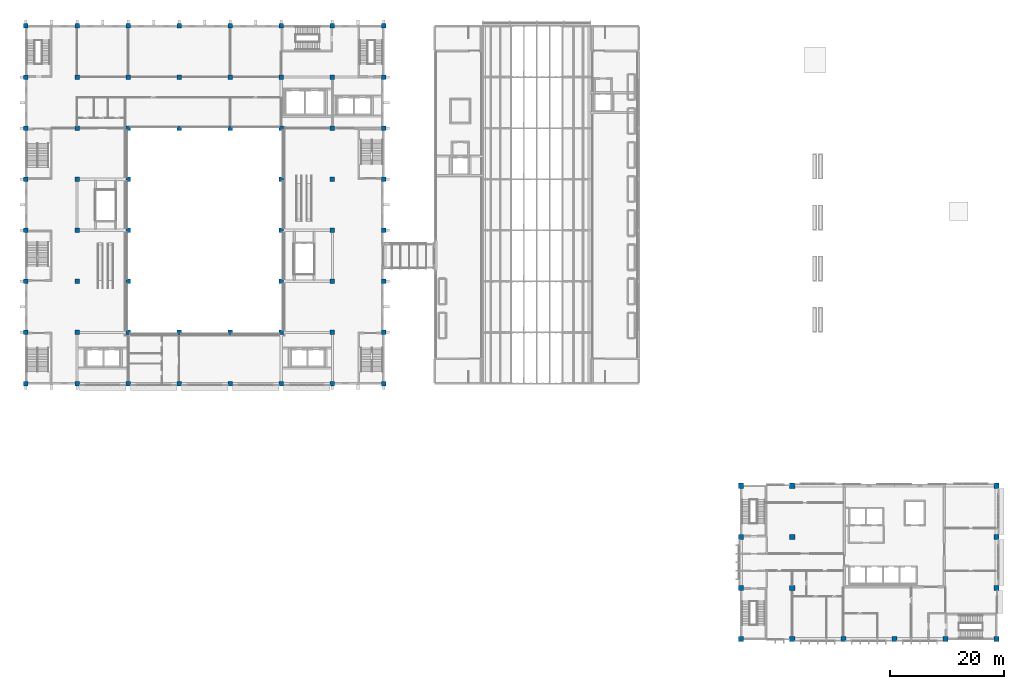
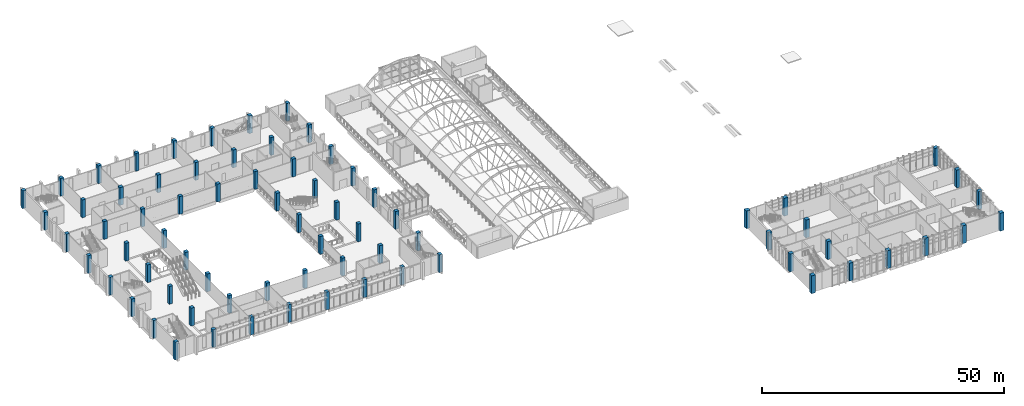
# One storey, part 1 of 79: 73 columns.
"""IFC4 building model written with IfcOpenShell, lengths in metres."""

from ifc_helpers import new_model, si_unit, direction, frame, origin, origin_2d, place, context, subcontext, project, spatial, rectangle, extrude, material, material_profile, profile_set, type_object, element, save


model = new_model("IFC4")

# Units and contexts
model_context = context("Model", 3, precision=1e-05, world=origin(), true_north=direction((0.0, 1.0)))
body_context = subcontext(model_context, "Body", "Model", "MODEL_VIEW")
ifc_project = project(units=[si_unit("LENGTHUNIT", "METRE"), si_unit("AREAUNIT", "SQUARE_METRE"), si_unit("VOLUMEUNIT", "CUBIC_METRE"), si_unit("PLANEANGLEUNIT", "RADIAN"), si_unit("MASSUNIT", "GRAM", prefix="KILO")], contexts=[model_context])

# Site, building, storey
site_placement = place(None, origin())
site = spatial("IfcSite", under=ifc_project, at=site_placement, CompositionType="ELEMENT")
building_placement = place(site_placement, origin())
building = spatial("IfcBuilding", under=site, at=building_placement, Name="Guidao Yard Department Store", CompositionType="ELEMENT")
storey_placement = place(building_placement, frame((0.0, 0.0, 15.0)))
storey = spatial("IfcBuildingStorey", under=building, at=storey_placement, Name="L03", CompositionType="ELEMENT", Elevation=15.0)

# Columns
ifc_material_1 = material(Name="Concrete C40", Category="concrete")
ifc_material_profile_1 = material_profile(ifc_material_1, rectangle(XDim=0.800048828125, YDim=0.800048828125, at=origin_2d()), Name="COL 800x800")
ifc_profile_set_1 = profile_set([ifc_material_profile_1], Name="Concrete C40")
column_type_1 = type_object("IfcColumnType", Name="Column 800x800 C40", PredefinedType="COLUMN", material=ifc_profile_set_1)
for number, where, z_axis, x_axis, name in (
    (1, (0.0, 45.0, 0.0), (0.0, 0.0, 1.0), (1.0, 0.0, 0.0), "Column 1/F L03"),
    (2, (9.0, 45.0, 0.0), (0.0, 0.0, 1.0), (1.0, 0.0, 0.0), "Column 2/F L03"),
    (3, (18.0, 45.0, 0.0), (0.0, 0.0, 1.0), (1.0, 0.0, 0.0), "Column 3/F L03"),
    (4, (27.0, 45.0, 0.0), (0.0, 0.0, 1.0), (1.0, 0.0, 0.0), "Column 4/F L03"),
    (5, (36.0, 45.0, 0.0), (0.0, 0.0, 1.0), (1.0, 0.0, 0.0), "Column 5/F L03"),
    (6, (45.0, 45.0, 0.0), (0.0, 0.0, 1.0), (1.0, 0.0, 0.0), "Column 6/F L03"),
    (7, (54.0, 45.0, 0.0), (0.0, 0.0, 1.0), (1.0, 0.0, 0.0), "Column 7/F L03"),
    (8, (63.0, 45.0, 0.0), (0.0, 0.0, 1.0), (1.0, 0.0, 0.0), "Column 8/F L03"),
    (9, (0.0, 54.0, 0.0), (0.0, 0.0, 1.0), (1.0, 0.0, 0.0), "Column 1/G L03"),
    (10, (9.0, 54.0, 0.0), (0.0, 0.0, 1.0), (1.0, 0.0, 0.0), "Column 2/G L03"),
    (11, (18.0, 54.0, 0.0), (0.0, 0.0, 1.0), (1.0, 0.0, 0.0), "Column 3/G L03"),
    (12, (27.0, 54.0, 0.0), (0.0, 0.0, 1.0), (1.0, 0.0, 0.0), "Column 4/G L03"),
    (13, (36.0, 54.0, 0.0), (0.0, 0.0, 1.0), (1.0, 0.0, 0.0), "Column 5/G L03"),
    (14, (45.0, 54.0, 0.0), (0.0, 0.0, 1.0), (1.0, 0.0, 0.0), "Column 6/G L03"),
    (15, (54.0, 54.0, 0.0), (0.0, 0.0, 1.0), (1.0, 0.0, 0.0), "Column 7/G L03"),
    (16, (63.0, 54.0, 0.0), (0.0, 0.0, 1.0), (1.0, 0.0, 0.0), "Column 8/G L03"),
    (17, (0.0, 63.0, 0.0), (0.0, 0.0, 1.0), (1.0, 0.0, 0.0), "Column 1/H L03"),
    (18, (9.0, 63.0, 0.0), (0.0, 0.0, 1.0), (1.0, 0.0, 0.0), "Column 2/H L03"),
    (19, (18.0, 63.0, 0.0), (0.0, 0.0, 1.0), (1.0, 0.0, 0.0), "Column 3/H L03"),
    (20, (45.0, 63.0, 0.0), (0.0, 0.0, 1.0), (1.0, 0.0, 0.0), "Column 6/H L03"),
    (21, (54.0, 63.0, 0.0), (0.0, 0.0, 1.0), (1.0, 0.0, 0.0), "Column 7/H L03"),
    (22, (63.0, 63.0, 0.0), (0.0, 0.0, 1.0), (1.0, 0.0, 0.0), "Column 8/H L03"),
    (23, (0.0, 72.0, 0.0), (0.0, 0.0, 1.0), (1.0, 0.0, 0.0), "Column 1/J L03"),
    (24, (9.0, 72.0, 0.0), (0.0, 0.0, 1.0), (1.0, 0.0, 0.0), "Column 2/J L03"),
    (25, (18.0, 72.0, 0.0), (0.0, 0.0, 1.0), (1.0, 0.0, 0.0), "Column 3/J L03"),
    (26, (45.0, 72.0, 0.0), (0.0, 0.0, 1.0), (1.0, 0.0, 0.0), "Column 6/J L03"),
    (27, (54.0, 72.0, 0.0), (0.0, 0.0, 1.0), (1.0, 0.0, 0.0), "Column 7/J L03"),
    (28, (63.0, 72.0, 0.0), (0.0, 0.0, 1.0), (1.0, 0.0, 0.0), "Column 8/J L03"),
    (29, (0.0, 81.0, 0.0), (0.0, 0.0, 1.0), (1.0, 0.0, 0.0), "Column 1/K L03"),
    (30, (9.0, 81.0, 0.0), (0.0, 0.0, 1.0), (1.0, 0.0, 0.0), "Column 2/K L03"),
    (31, (18.0, 81.0, 0.0), (0.0, 0.0, 1.0), (1.0, 0.0, 0.0), "Column 3/K L03"),
    (32, (45.0, 81.0, 0.0), (0.0, 0.0, 1.0), (1.0, 0.0, 0.0), "Column 6/K L03"),
    (33, (54.0, 81.0, 0.0), (0.0, 0.0, 1.0), (1.0, 0.0, 0.0), "Column 7/K L03"),
    (34, (63.0, 81.0, 0.0), (0.0, 0.0, 1.0), (1.0, 0.0, 0.0), "Column 8/K L03"),
    (35, (0.0, 90.0, 0.0), (0.0, 0.0, 1.0), (1.0, 0.0, 0.0), "Column 1/L L03"),
    (36, (9.0, 90.0, 0.0), (0.0, 0.0, 1.0), (1.0, 0.0, 0.0), "Column 2/L L03"),
    (37, (18.0, 90.0, 0.0), (0.0, 0.0, 1.0), (1.0, 0.0, 0.0), "Column 3/L L03"),
    (38, (27.0, 90.0, 0.0), (0.0, 0.0, 1.0), (1.0, 0.0, 0.0), "Column 4/L L03"),
    (39, (36.0, 90.0, 0.0), (0.0, 0.0, 1.0), (1.0, 0.0, 0.0), "Column 5/L L03"),
    (40, (45.0, 90.0, 0.0), (0.0, 0.0, 1.0), (1.0, 0.0, 0.0), "Column 6/L L03"),
    (41, (54.0, 90.0, 0.0), (0.0, 0.0, 1.0), (1.0, 0.0, 0.0), "Column 7/L L03"),
    (42, (63.0, 90.0, 0.0), (0.0, 0.0, 1.0), (1.0, 0.0, 0.0), "Column 8/L L03"),
    (43, (0.0, 99.0, 0.0), (0.0, 0.0, 1.0), (1.0, 0.0, 0.0), "Column 1/M L03"),
    (44, (9.0, 99.0, 0.0), (0.0, 0.0, 1.0), (1.0, 0.0, 0.0), "Column 2/M L03"),
    (45, (18.0, 99.0, 0.0), (0.0, 0.0, 1.0), (1.0, 0.0, 0.0), "Column 3/M L03"),
    (46, (27.0, 99.0, 0.0), (0.0, 0.0, 1.0), (1.0, 0.0, 0.0), "Column 4/M L03"),
    (47, (36.0, 99.0, 0.0), (0.0, 0.0, 1.0), (1.0, 0.0, 0.0), "Column 5/M L03"),
    (48, (45.0, 99.0, 0.0), (0.0, 0.0, 1.0), (1.0, 0.0, 0.0), "Column 6/M L03"),
    (49, (54.0, 99.0, 0.0), (0.0, 0.0, 1.0), (1.0, 0.0, 0.0), "Column 7/M L03"),
    (50, (63.0, 99.0, 0.0), (0.0, 0.0, 1.0), (1.0, 0.0, 0.0), "Column 8/M L03"),
    (51, (0.0, 108.0, 0.0), (0.0, 0.0, 1.0), (1.0, 0.0, 0.0), "Column 1/N L03"),
    (52, (9.0, 108.0, 0.0), (0.0, 0.0, 1.0), (1.0, 0.0, 0.0), "Column 2/N L03"),
    (53, (18.0, 108.0, 0.0), (0.0, 0.0, 1.0), (1.0, 0.0, 0.0), "Column 3/N L03"),
    (54, (27.0, 108.0, 0.0), (0.0, 0.0, 1.0), (1.0, 0.0, 0.0), "Column 4/N L03"),
    (55, (36.0, 108.0, 0.0), (0.0, 0.0, 1.0), (1.0, 0.0, 0.0), "Column 5/N L03"),
    (56, (45.0, 108.0, 0.0), (0.0, 0.0, 1.0), (1.0, 0.0, 0.0), "Column 6/N L03"),
    (57, (54.0, 108.0, 0.0), (0.0, 0.0, 1.0), (1.0, 0.0, 0.0), "Column 7/N L03"),
    (58, (63.0, 108.0, 0.0), (0.0, 0.0, 1.0), (1.0, 0.0, 0.0), "Column 8/N L03"),
):
    element("IfcColumn", number, at=place(storey_placement, frame(where, z_axis=z_axis, x_axis=x_axis)), inside=storey, type_object=column_type_1, Name=name, PredefinedType="COLUMN", context=body_context, shape_type="SweptSolid", body=[
        extrude(rectangle(XDim=0.800048828125, YDim=0.800048828125, at=origin_2d()), origin(), (0.0, 0.0, 1.0), 4.5),
    ])
ifc_material_2 = material(Name="Concrete C60", Category="concrete")
ifc_material_profile_2 = material_profile(ifc_material_2, rectangle(XDim=0.89990234375, YDim=0.89990234375, at=origin_2d()), Name="COL 900x900")
ifc_profile_set_2 = profile_set([ifc_material_profile_2], Name="Concrete C60")
column_type_2 = type_object("IfcColumnType", Name="Column 900x900 C60", PredefinedType="COLUMN", material=ifc_profile_set_2)
for number, where, z_axis, x_axis, name in (
    (59, (126.0, 0.0, 0.0), (0.0, 0.0, 1.0), (1.0, 0.0, 0.0), "Column 15/A L03"),
    (60, (135.0, 0.0, 0.0), (0.0, 0.0, 1.0), (1.0, 0.0, 0.0), "Column 16/A L03"),
    (61, (144.0, 0.0, 0.0), (0.0, 0.0, 1.0), (1.0, 0.0, 0.0), "Column 17/A L03"),
    (62, (153.0, 0.0, 0.0), (0.0, 0.0, 1.0), (1.0, 0.0, 0.0), "Column 18/A L03"),
    (63, (162.0, 0.0, 0.0), (0.0, 0.0, 1.0), (1.0, 0.0, 0.0), "Column 19/A L03"),
    (64, (171.0, 0.0, 0.0), (0.0, 0.0, 1.0), (1.0, 0.0, 0.0), "Column 20/A L03"),
    (65, (126.0, 9.0, 0.0), (0.0, 0.0, 1.0), (1.0, 0.0, 0.0), "Column 15/B L03"),
    (66, (135.0, 9.0, 0.0), (0.0, 0.0, 1.0), (1.0, 0.0, 0.0), "Column 16/B L03"),
    (67, (171.0, 9.0, 0.0), (0.0, 0.0, 1.0), (1.0, 0.0, 0.0), "Column 20/B L03"),
    (68, (126.0, 18.0, 0.0), (0.0, 0.0, 1.0), (1.0, 0.0, 0.0), "Column 15/C L03"),
    (69, (135.0, 18.0, 0.0), (0.0, 0.0, 1.0), (1.0, 0.0, 0.0), "Column 16/C L03"),
    (70, (171.0, 18.0, 0.0), (0.0, 0.0, 1.0), (1.0, 0.0, 0.0), "Column 20/C L03"),
    (71, (126.0, 27.0, 0.0), (0.0, 0.0, 1.0), (1.0, 0.0, 0.0), "Column 15/D L03"),
    (72, (135.0, 27.0, 0.0), (0.0, 0.0, 1.0), (1.0, 0.0, 0.0), "Column 16/D L03"),
    (73, (171.0, 27.0, 0.0), (0.0, 0.0, 1.0), (1.0, 0.0, 0.0), "Column 20/D L03"),
):
    element("IfcColumn", number, at=place(storey_placement, frame(where, z_axis=z_axis, x_axis=x_axis)), inside=storey, type_object=column_type_2, Name=name, PredefinedType="COLUMN", context=body_context, shape_type="SweptSolid", body=[
        extrude(rectangle(XDim=0.89990234375, YDim=0.89990234375, at=origin_2d()), origin(), (0.0, 0.0, 1.0), 4.5),
    ])

save(model, "model.ifc")
